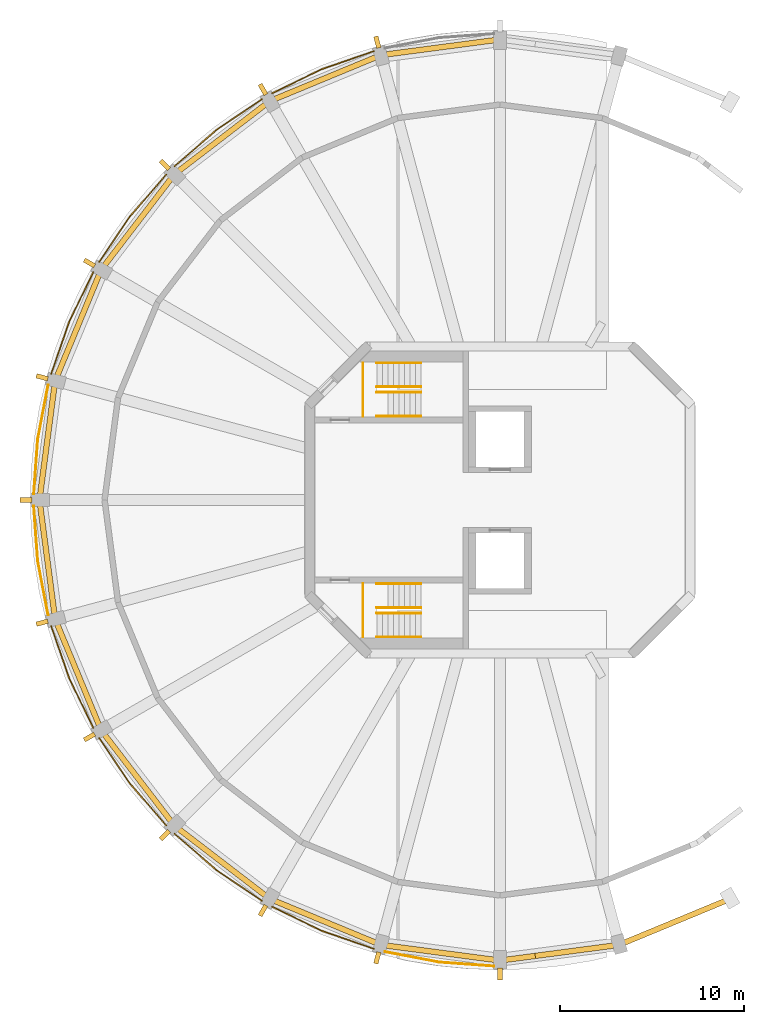
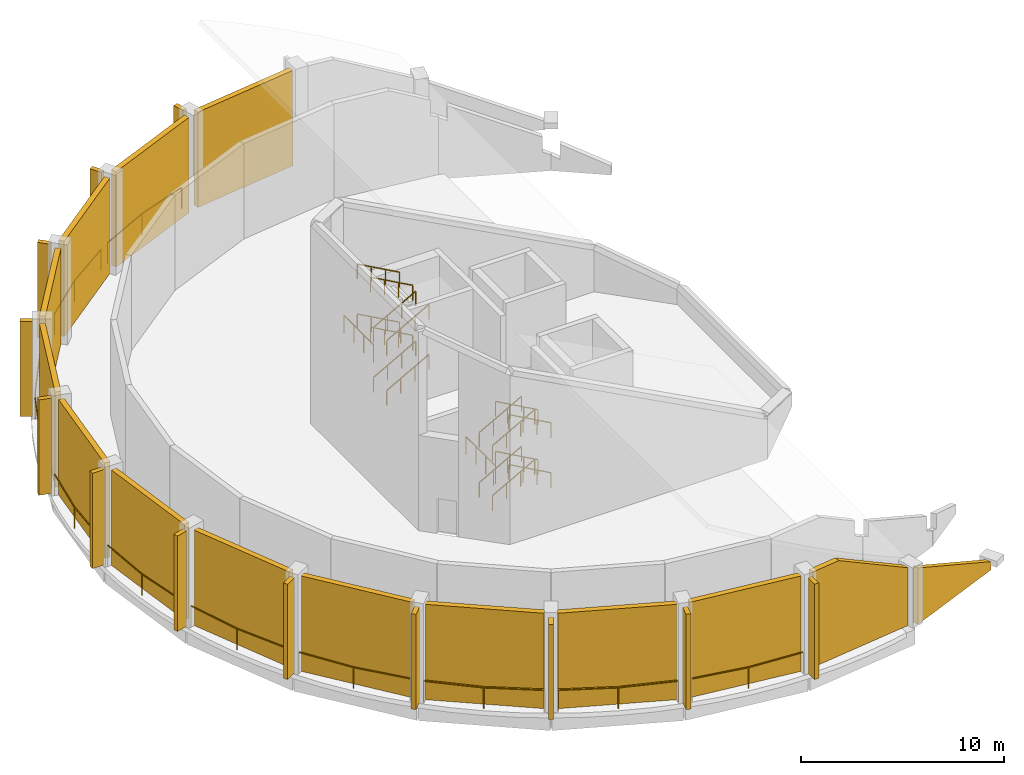
# One storey, part 4 of 5: 29 railings, 14 shading devices, 12 coverings.
"""IFC4 building model written with IfcOpenShell, lengths in metres."""

from ifc_helpers import new_model, si_unit, direction, frame, origin, origin_2d, place, context, subcontext, project, spatial, polyline, rectangle, outline, extrude, material, material_profile, profile_set, type_object, element, save


model = new_model("IFC4")

# Units and contexts
model_context = context("Model", 3, precision=1e-05, world=origin(), true_north=direction((0.0, 1.0)))
body_context = subcontext(model_context, "Body", "Model", "MODEL_VIEW")
ifc_project = project(units=[si_unit("LENGTHUNIT", "METRE"), si_unit("AREAUNIT", "SQUARE_METRE"), si_unit("VOLUMEUNIT", "CUBIC_METRE"), si_unit("PLANEANGLEUNIT", "RADIAN"), si_unit("MASSUNIT", "GRAM", prefix="KILO")], contexts=[model_context])

# Site, building, storey
site_placement = place(None, origin())
site = spatial("IfcSite", under=ifc_project, at=site_placement, CompositionType="ELEMENT")
building_placement = place(site_placement, origin())
building = spatial("IfcBuilding", under=site, at=building_placement, Name="Torre Triforio", CompositionType="ELEMENT")
storey_placement = place(building_placement, frame((0.0, 0.0, 296.800048828125)))
storey = spatial("IfcBuildingStorey", under=building, at=storey_placement, Name="RF-2", CompositionType="ELEMENT", Elevation=296.800048828125)

# Railings
ifc_material_1 = material(Name="Stainless steel AISI 316", Category="steel")
railing_type_1 = type_object("IfcRailingType", Name="GUARD 1100", PredefinedType="GUARDRAIL", material=ifc_material_1)
for number, where, name in (
    (1, (-7.449951171875, 4.550048828125, 3.0), "Guard ST1"),
    (2, (-7.449951171875, -7.449951171875, 3.0), "Guard ST3"),
):
    element("IfcRailing", number, at=place(storey_placement, frame(where)), inside=storey, type_object=railing_type_1, Name=name, PredefinedType="GUARDRAIL", context=body_context, shape_type="SweptSolid", body=[
        extrude(rectangle(XDim=0.048095703125, YDim=0.048095703125, at=origin_2d()), frame((0.0, 0.0, 1.076171875), z_axis=(0.0, 1.0, 0.0), x_axis=(-1.0, 0.0, 0.0)), (0.0, 0.0, 1.0), 2.89990234375),
        extrude(rectangle(XDim=0.0419921875, YDim=0.0419921875, at=origin_2d()), origin(), (0.0, 0.0, 1.0), 1.052001953125),
        extrude(rectangle(XDim=0.0419921875, YDim=0.0419921875, at=origin_2d()), frame((0.0, 0.966552734375, 0.0)), (0.0, 0.0, 1.0), 1.052001953125),
        extrude(rectangle(XDim=0.0419921875, YDim=0.0419921875, at=origin_2d()), frame((0.0, 1.933349609375, 0.0)), (0.0, 0.0, 1.0), 1.052001953125),
        extrude(rectangle(XDim=0.0419921875, YDim=0.0419921875, at=origin_2d()), frame((0.0, 2.89990234375, 0.0)), (0.0, 0.0, 1.0), 1.052001953125),
    ])
railing_type_2 = type_object("IfcRailingType", Name="HANDRAIL 920", PredefinedType="HANDRAIL", material=ifc_material_1)
for number, where, name in (
    (3, (-6.699951171875, 4.550048828125, 0.16650390625), "Handrail ST1"),
    (4, (-6.699951171875, 5.85009765625, 0.16650390625), "Handrail ST1"),
):
    element("IfcRailing", number, at=place(storey_placement, frame(where)), inside=storey, type_object=railing_type_2, Name=name, PredefinedType="HANDRAIL", context=body_context, shape_type="SweptSolid", body=[
        extrude(rectangle(XDim=0.048095703125, YDim=0.048095703125, at=origin_2d()), frame((0.0, 0.0, 0.89599609375), z_axis=(0.874123717778, 0.0, 0.485703331282), x_axis=(0.0, 1.0, 0.0)), (0.0, 0.0, 1.0), 2.74560546875),
        extrude(rectangle(XDim=0.0419921875, YDim=0.0419921875, at=origin_2d()), origin(), (0.0, 0.0, 1.0), 0.871826171875),
        extrude(rectangle(XDim=0.0419921875, YDim=0.0419921875, at=origin_2d()), frame((0.800048828125, 0.0, 0.444580078125)), (0.0, 0.0, 1.0), 0.871826171875),
        extrude(rectangle(XDim=0.0419921875, YDim=0.0419921875, at=origin_2d()), frame((1.599853515625, 0.0, 0.888916015625)), (0.0, 0.0, 1.0), 0.871826171875),
        extrude(rectangle(XDim=0.0419921875, YDim=0.0419921875, at=origin_2d()), frame((2.39990234375, 0.0, 1.33349609375)), (0.0, 0.0, 1.0), 0.871826171875),
    ])
for number, where, name in (
    (5, (-4.300048828125, 7.449951171875, 1.66650390625), "Handrail ST1"),
    (6, (-4.300048828125, 6.14990234375, 1.66650390625), "Handrail ST1"),
):
    element("IfcRailing", number, at=place(storey_placement, frame(where)), inside=storey, type_object=railing_type_2, Name=name, PredefinedType="HANDRAIL", context=body_context, shape_type="SweptSolid", body=[
        extrude(rectangle(XDim=0.048095703125, YDim=0.048095703125, at=origin_2d()), frame((0.0, 0.0, 0.89599609375), z_axis=(-0.874123717778, 0.0, 0.485703331282), x_axis=(0.0, -1.0, 0.0)), (0.0, 0.0, 1.0), 2.74560546875),
        extrude(rectangle(XDim=0.0419921875, YDim=0.0419921875, at=origin_2d()), origin(), (0.0, 0.0, 1.0), 0.871826171875),
        extrude(rectangle(XDim=0.0419921875, YDim=0.0419921875, at=origin_2d()), frame((-0.800048828125, 0.0, 0.444580078125)), (0.0, 0.0, 1.0), 0.871826171875),
        extrude(rectangle(XDim=0.0419921875, YDim=0.0419921875, at=origin_2d()), frame((-1.599853515625, 0.0, 0.888916015625)), (0.0, 0.0, 1.0), 0.871826171875),
        extrude(rectangle(XDim=0.0419921875, YDim=0.0419921875, at=origin_2d()), frame((-2.39990234375, 0.0, 1.33349609375)), (0.0, 0.0, 1.0), 0.871826171875),
    ])
for number, where, name in (
    (7, (-6.699951171875, 4.550048828125, 3.16650390625), "Handrail ST1"),
    (8, (-6.699951171875, 5.85009765625, 3.16650390625), "Handrail ST1"),
):
    element("IfcRailing", number, at=place(storey_placement, frame(where)), inside=storey, type_object=railing_type_2, Name=name, PredefinedType="HANDRAIL", context=body_context, shape_type="SweptSolid", body=[
        extrude(rectangle(XDim=0.048095703125, YDim=0.048095703125, at=origin_2d()), frame((0.0, 0.0, 0.89599609375), z_axis=(0.874123717778, 0.0, 0.485703331282), x_axis=(0.0, 1.0, 0.0)), (0.0, 0.0, 1.0), 2.74560546875),
        extrude(rectangle(XDim=0.0419921875, YDim=0.0419921875, at=origin_2d()), origin(), (0.0, 0.0, 1.0), 0.871826171875),
        extrude(rectangle(XDim=0.0419921875, YDim=0.0419921875, at=origin_2d()), frame((0.800048828125, 0.0, 0.444580078125)), (0.0, 0.0, 1.0), 0.871826171875),
        extrude(rectangle(XDim=0.0419921875, YDim=0.0419921875, at=origin_2d()), frame((1.599853515625, 0.0, 0.888916015625)), (0.0, 0.0, 1.0), 0.871826171875),
        extrude(rectangle(XDim=0.0419921875, YDim=0.0419921875, at=origin_2d()), frame((2.39990234375, 0.0, 1.33349609375)), (0.0, 0.0, 1.0), 0.871826171875),
    ])
for number, where, name in (
    (9, (-4.300048828125, 7.449951171875, 4.66650390625), "Handrail ST1"),
    (10, (-4.300048828125, 6.14990234375, 4.66650390625), "Handrail ST1"),
):
    element("IfcRailing", number, at=place(storey_placement, frame(where)), inside=storey, type_object=railing_type_2, Name=name, PredefinedType="HANDRAIL", context=body_context, shape_type="SweptSolid", body=[
        extrude(rectangle(XDim=0.048095703125, YDim=0.048095703125, at=origin_2d()), frame((0.0, 0.0, 0.89599609375), z_axis=(-0.874123717778, 0.0, 0.485703331282), x_axis=(0.0, -1.0, 0.0)), (0.0, 0.0, 1.0), 2.74560546875),
        extrude(rectangle(XDim=0.0419921875, YDim=0.0419921875, at=origin_2d()), origin(), (0.0, 0.0, 1.0), 0.871826171875),
        extrude(rectangle(XDim=0.0419921875, YDim=0.0419921875, at=origin_2d()), frame((-0.800048828125, 0.0, 0.444580078125)), (0.0, 0.0, 1.0), 0.871826171875),
        extrude(rectangle(XDim=0.0419921875, YDim=0.0419921875, at=origin_2d()), frame((-1.599853515625, 0.0, 0.888916015625)), (0.0, 0.0, 1.0), 0.871826171875),
        extrude(rectangle(XDim=0.0419921875, YDim=0.0419921875, at=origin_2d()), frame((-2.39990234375, 0.0, 1.33349609375)), (0.0, 0.0, 1.0), 0.871826171875),
    ])
for number, where, name in (
    (11, (-6.699951171875, -4.550048828125, 0.16650390625), "Handrail ST3"),
    (12, (-6.699951171875, -5.85009765625, 0.16650390625), "Handrail ST3"),
):
    element("IfcRailing", number, at=place(storey_placement, frame(where)), inside=storey, type_object=railing_type_2, Name=name, PredefinedType="HANDRAIL", context=body_context, shape_type="SweptSolid", body=[
        extrude(rectangle(XDim=0.048095703125, YDim=0.048095703125, at=origin_2d()), frame((0.0, 0.0, 0.89599609375), z_axis=(0.874123717778, 0.0, 0.485703331282), x_axis=(0.0, 1.0, 0.0)), (0.0, 0.0, 1.0), 2.74560546875),
        extrude(rectangle(XDim=0.0419921875, YDim=0.0419921875, at=origin_2d()), origin(), (0.0, 0.0, 1.0), 0.871826171875),
        extrude(rectangle(XDim=0.0419921875, YDim=0.0419921875, at=origin_2d()), frame((0.800048828125, 0.0, 0.444580078125)), (0.0, 0.0, 1.0), 0.871826171875),
        extrude(rectangle(XDim=0.0419921875, YDim=0.0419921875, at=origin_2d()), frame((1.599853515625, 0.0, 0.888916015625)), (0.0, 0.0, 1.0), 0.871826171875),
        extrude(rectangle(XDim=0.0419921875, YDim=0.0419921875, at=origin_2d()), frame((2.39990234375, 0.0, 1.33349609375)), (0.0, 0.0, 1.0), 0.871826171875),
    ])
for number, where, name in (
    (13, (-4.300048828125, -7.449951171875, 1.66650390625), "Handrail ST3"),
    (14, (-4.300048828125, -6.14990234375, 1.66650390625), "Handrail ST3"),
):
    element("IfcRailing", number, at=place(storey_placement, frame(where)), inside=storey, type_object=railing_type_2, Name=name, PredefinedType="HANDRAIL", context=body_context, shape_type="SweptSolid", body=[
        extrude(rectangle(XDim=0.048095703125, YDim=0.048095703125, at=origin_2d()), frame((0.0, 0.0, 0.89599609375), z_axis=(-0.874123717778, 0.0, 0.485703331282), x_axis=(0.0, -1.0, 0.0)), (0.0, 0.0, 1.0), 2.74560546875),
        extrude(rectangle(XDim=0.0419921875, YDim=0.0419921875, at=origin_2d()), origin(), (0.0, 0.0, 1.0), 0.871826171875),
        extrude(rectangle(XDim=0.0419921875, YDim=0.0419921875, at=origin_2d()), frame((-0.800048828125, 0.0, 0.444580078125)), (0.0, 0.0, 1.0), 0.871826171875),
        extrude(rectangle(XDim=0.0419921875, YDim=0.0419921875, at=origin_2d()), frame((-1.599853515625, 0.0, 0.888916015625)), (0.0, 0.0, 1.0), 0.871826171875),
        extrude(rectangle(XDim=0.0419921875, YDim=0.0419921875, at=origin_2d()), frame((-2.39990234375, 0.0, 1.33349609375)), (0.0, 0.0, 1.0), 0.871826171875),
    ])
for number, where, name in (
    (15, (-6.699951171875, -4.550048828125, 3.16650390625), "Handrail ST3"),
    (16, (-6.699951171875, -5.85009765625, 3.16650390625), "Handrail ST3"),
):
    element("IfcRailing", number, at=place(storey_placement, frame(where)), inside=storey, type_object=railing_type_2, Name=name, PredefinedType="HANDRAIL", context=body_context, shape_type="SweptSolid", body=[
        extrude(rectangle(XDim=0.048095703125, YDim=0.048095703125, at=origin_2d()), frame((0.0, 0.0, 0.89599609375), z_axis=(0.874123717778, 0.0, 0.485703331282), x_axis=(0.0, 1.0, 0.0)), (0.0, 0.0, 1.0), 2.74560546875),
        extrude(rectangle(XDim=0.0419921875, YDim=0.0419921875, at=origin_2d()), origin(), (0.0, 0.0, 1.0), 0.871826171875),
        extrude(rectangle(XDim=0.0419921875, YDim=0.0419921875, at=origin_2d()), frame((0.800048828125, 0.0, 0.444580078125)), (0.0, 0.0, 1.0), 0.871826171875),
        extrude(rectangle(XDim=0.0419921875, YDim=0.0419921875, at=origin_2d()), frame((1.599853515625, 0.0, 0.888916015625)), (0.0, 0.0, 1.0), 0.871826171875),
        extrude(rectangle(XDim=0.0419921875, YDim=0.0419921875, at=origin_2d()), frame((2.39990234375, 0.0, 1.33349609375)), (0.0, 0.0, 1.0), 0.871826171875),
    ])
for number, where, name in (
    (17, (-4.300048828125, -7.449951171875, 4.66650390625), "Handrail ST3"),
    (18, (-4.300048828125, -6.14990234375, 4.66650390625), "Handrail ST3"),
):
    element("IfcRailing", number, at=place(storey_placement, frame(where)), inside=storey, type_object=railing_type_2, Name=name, PredefinedType="HANDRAIL", context=body_context, shape_type="SweptSolid", body=[
        extrude(rectangle(XDim=0.048095703125, YDim=0.048095703125, at=origin_2d()), frame((0.0, 0.0, 0.89599609375), z_axis=(-0.874123717778, 0.0, 0.485703331282), x_axis=(0.0, -1.0, 0.0)), (0.0, 0.0, 1.0), 2.74560546875),
        extrude(rectangle(XDim=0.0419921875, YDim=0.0419921875, at=origin_2d()), origin(), (0.0, 0.0, 1.0), 0.871826171875),
        extrude(rectangle(XDim=0.0419921875, YDim=0.0419921875, at=origin_2d()), frame((-0.800048828125, 0.0, 0.444580078125)), (0.0, 0.0, 1.0), 0.871826171875),
        extrude(rectangle(XDim=0.0419921875, YDim=0.0419921875, at=origin_2d()), frame((-1.599853515625, 0.0, 0.888916015625)), (0.0, 0.0, 1.0), 0.871826171875),
        extrude(rectangle(XDim=0.0419921875, YDim=0.0419921875, at=origin_2d()), frame((-2.39990234375, 0.0, 1.33349609375)), (0.0, 0.0, 1.0), 0.871826171875),
    ])
railing_type_3 = type_object("IfcRailingType", Name="Loggia guard 1300", PredefinedType="GUARDRAIL", material=ifc_material_1)
railing_1_placement = place(storey_placement, frame((-6.8701171875, 24.4033203125, 0.0)))
element("IfcRailing", 19, at=railing_1_placement, inside=storey, type_object=railing_type_3, Name="Loggia guard RF-2 bay 08", PredefinedType="GUARDRAIL", context=body_context, shape_type="SweptSolid", body=[
    extrude(rectangle(XDim=0.050048828125, YDim=0.050048828125, at=origin_2d()), frame((0.0, 0.0, 1.27490234375), z_axis=(-0.944674716123, -0.328008659518, 0.0), x_axis=(0.328008659518, -0.944674716123, 0.0)), (0.0, 0.0, 1.0), 2.99658203125),
    extrude(rectangle(XDim=0.050048828125, YDim=0.050048828125, at=origin_2d()), frame((-2.830810546875, -0.98291015625, 1.27490234375), z_axis=(-0.899945864081, -0.43600165335, 0.0), x_axis=(0.43600165335, -0.899945864081, 0.0)), (0.0, 0.0, 1.0), 2.996826171875),
    extrude(rectangle(XDim=0.0400390625, YDim=0.0400390625, at=origin_2d()), origin(), (0.0, 0.0, 1.0), 1.25),
    extrude(rectangle(XDim=0.0400390625, YDim=0.0400390625, at=origin_2d()), frame((-2.830810546875, -0.98291015625, 0.0)), (0.0, 0.0, 1.0), 1.25),
    extrude(rectangle(XDim=0.0400390625, YDim=0.0400390625, at=origin_2d()), frame((-5.52783203125, -2.28955078125, 0.0)), (0.0, 0.0, 1.0), 1.25),
])
railing_2_placement = place(storey_placement, frame((-12.9521484375, 21.793701171875, 0.0)))
element("IfcRailing", 20, at=railing_2_placement, inside=storey, type_object=railing_type_3, Name="Loggia guard RF-2 bay 09", PredefinedType="GUARDRAIL", context=body_context, shape_type="SweptSolid", body=[
    extrude(rectangle(XDim=0.050048828125, YDim=0.050048828125, at=origin_2d()), frame((0.0, 0.0, 1.27490234375), z_axis=(-0.82758661631, -0.561338037643, 0.0), x_axis=(0.561338037643, -0.82758661631, 0.0)), (0.0, 0.0, 1.0), 2.99658203125),
    extrude(rectangle(XDim=0.050048828125, YDim=0.050048828125, at=origin_2d()), frame((-2.47998046875, -1.68212890625, 1.27490234375), z_axis=(-0.756414371673, -0.65409272915, 0.0), x_axis=(0.65409272915, -0.756414371673, 0.0)), (0.0, 0.0, 1.0), 2.996826171875),
    extrude(rectangle(XDim=0.0400390625, YDim=0.0400390625, at=origin_2d()), origin(), (0.0, 0.0, 1.0), 1.25),
    extrude(rectangle(XDim=0.0400390625, YDim=0.0400390625, at=origin_2d()), frame((-2.47998046875, -1.68212890625, 0.0)), (0.0, 0.0, 1.0), 1.25),
    extrude(rectangle(XDim=0.0400390625, YDim=0.0400390625, at=origin_2d()), frame((-4.746826171875, -3.642333984375, 0.0)), (0.0, 0.0, 1.0), 1.25),
])
railing_3_placement = place(storey_placement, frame((-18.1513671875, 17.698974609375, 0.0)))
element("IfcRailing", 21, at=railing_3_placement, inside=storey, type_object=railing_type_3, Name="Loggia guard RF-2 bay 10", PredefinedType="GUARDRAIL", context=body_context, shape_type="SweptSolid", body=[
    extrude(rectangle(XDim=0.050048828125, YDim=0.050048828125, at=origin_2d()), frame((0.0, 0.0, 1.27490234375), z_axis=(-0.65409272915, -0.756414371673, 0.0), x_axis=(0.756414371673, -0.65409272915, 0.0)), (0.0, 0.0, 1.0), 2.996826171875),
    extrude(rectangle(XDim=0.050048828125, YDim=0.050048828125, at=origin_2d()), frame((-1.960205078125, -2.266845703125, 1.27490234375), z_axis=(-0.561338037643, -0.82758661631, 0.0), x_axis=(0.82758661631, -0.561338037643, 0.0)), (0.0, 0.0, 1.0), 2.99658203125),
    extrude(rectangle(XDim=0.0400390625, YDim=0.0400390625, at=origin_2d()), origin(), (0.0, 0.0, 1.0), 1.25),
    extrude(rectangle(XDim=0.0400390625, YDim=0.0400390625, at=origin_2d()), frame((-1.960205078125, -2.266845703125, 0.0)), (0.0, 0.0, 1.0), 1.25),
    extrude(rectangle(XDim=0.0400390625, YDim=0.0400390625, at=origin_2d()), frame((-3.642333984375, -4.746826171875, 0.0)), (0.0, 0.0, 1.0), 1.25),
])
railing_4_placement = place(storey_placement, frame((-22.11376953125, 12.39794921875, 0.0)))
element("IfcRailing", 22, at=railing_4_placement, inside=storey, type_object=railing_type_3, Name="Loggia guard RF-2 bay 11", PredefinedType="GUARDRAIL", context=body_context, shape_type="SweptSolid", body=[
    extrude(rectangle(XDim=0.050048828125, YDim=0.050048828125, at=origin_2d()), frame((0.0, 0.0, 1.27490234375), z_axis=(-0.43600165335, -0.899945864081, 0.0), x_axis=(0.899945864081, -0.43600165335, 0.0)), (0.0, 0.0, 1.0), 2.996826171875),
    extrude(rectangle(XDim=0.050048828125, YDim=0.050048828125, at=origin_2d()), frame((-1.306640625, -2.697021484375, 1.27490234375), z_axis=(-0.328008659518, -0.944674716123, 0.0), x_axis=(0.944674716123, -0.328008659518, 0.0)), (0.0, 0.0, 1.0), 2.99658203125),
    extrude(rectangle(XDim=0.0400390625, YDim=0.0400390625, at=origin_2d()), origin(), (0.0, 0.0, 1.0), 1.25),
    extrude(rectangle(XDim=0.0400390625, YDim=0.0400390625, at=origin_2d()), frame((-1.306640625, -2.697021484375, 0.0)), (0.0, 0.0, 1.0), 1.25),
    extrude(rectangle(XDim=0.0400390625, YDim=0.0400390625, at=origin_2d()), frame((-2.28955078125, -5.52783203125, 0.0)), (0.0, 0.0, 1.0), 1.25),
])
railing_5_placement = place(storey_placement, frame((-24.569091796875, 6.251953125, 0.0)))
element("IfcRailing", 23, at=railing_5_placement, inside=storey, type_object=railing_type_3, Name="Loggia guard RF-2 bay 12", PredefinedType="GUARDRAIL", context=body_context, shape_type="SweptSolid", body=[
    extrude(rectangle(XDim=0.050048828125, YDim=0.050048828125, at=origin_2d()), frame((0.0, 0.0, 1.27490234375), z_axis=(-0.18819767745, -0.98213116955, 0.0), x_axis=(0.98213116955, -0.18819767745, 0.0)), (0.0, 0.0, 1.0), 2.99658203125),
    extrude(rectangle(XDim=0.050048828125, YDim=0.050048828125, at=origin_2d()), frame((-0.56396484375, -2.943115234375, 1.27490234375), z_axis=(-0.072428129451, -0.997373634133, 0.0), x_axis=(0.997373634133, -0.072428129451, 0.0)), (0.0, 0.0, 1.0), 2.99658203125),
    extrude(rectangle(XDim=0.0400390625, YDim=0.0400390625, at=origin_2d()), origin(), (0.0, 0.0, 1.0), 1.25),
    extrude(rectangle(XDim=0.0400390625, YDim=0.0400390625, at=origin_2d()), frame((-0.56396484375, -2.943115234375, 0.0)), (0.0, 0.0, 1.0), 1.25),
    extrude(rectangle(XDim=0.0400390625, YDim=0.0400390625, at=origin_2d()), frame((-0.781005859375, -5.931884765625, 0.0)), (0.0, 0.0, 1.0), 1.25),
])
railing_6_placement = place(storey_placement, frame((-25.35009765625, -0.320068359375, 0.0)))
element("IfcRailing", 24, at=railing_6_placement, inside=storey, type_object=railing_type_3, Name="Loggia guard RF-2 bay 13", PredefinedType="GUARDRAIL", context=body_context, shape_type="SweptSolid", body=[
    extrude(rectangle(XDim=0.050048828125, YDim=0.050048828125, at=origin_2d()), frame((0.0, 0.0, 1.27490234375), z_axis=(0.072428129451, -0.997373634133, 0.0), x_axis=(0.997373634133, 0.072428129451, 0.0)), (0.0, 0.0, 1.0), 2.99658203125),
    extrude(rectangle(XDim=0.050048828125, YDim=0.050048828125, at=origin_2d()), frame((0.217041015625, -2.98876953125, 1.27490234375), z_axis=(0.18819767745, -0.98213116955, 0.0), x_axis=(0.98213116955, 0.18819767745, 0.0)), (0.0, 0.0, 1.0), 2.99658203125),
    extrude(rectangle(XDim=0.0400390625, YDim=0.0400390625, at=origin_2d()), origin(), (0.0, 0.0, 1.0), 1.25),
    extrude(rectangle(XDim=0.0400390625, YDim=0.0400390625, at=origin_2d()), frame((0.217041015625, -2.98876953125, 0.0)), (0.0, 0.0, 1.0), 1.25),
    extrude(rectangle(XDim=0.0400390625, YDim=0.0400390625, at=origin_2d()), frame((0.781005859375, -5.931884765625, 0.0)), (0.0, 0.0, 1.0), 1.25),
])
railing_7_placement = place(storey_placement, frame((-24.4033203125, -6.8701171875, 0.0)))
element("IfcRailing", 25, at=railing_7_placement, inside=storey, type_object=railing_type_3, Name="Loggia guard RF-2 bay 14", PredefinedType="GUARDRAIL", context=body_context, shape_type="SweptSolid", body=[
    extrude(rectangle(XDim=0.050048828125, YDim=0.050048828125, at=origin_2d()), frame((0.0, 0.0, 1.27490234375), z_axis=(0.328008659518, -0.944674716123, 0.0), x_axis=(0.944674716123, 0.328008659518, 0.0)), (0.0, 0.0, 1.0), 2.99658203125),
    extrude(rectangle(XDim=0.050048828125, YDim=0.050048828125, at=origin_2d()), frame((0.98291015625, -2.830810546875, 1.27490234375), z_axis=(0.43600165335, -0.899945864081, 0.0), x_axis=(0.899945864081, 0.43600165335, 0.0)), (0.0, 0.0, 1.0), 2.996826171875),
    extrude(rectangle(XDim=0.0400390625, YDim=0.0400390625, at=origin_2d()), origin(), (0.0, 0.0, 1.0), 1.25),
    extrude(rectangle(XDim=0.0400390625, YDim=0.0400390625, at=origin_2d()), frame((0.98291015625, -2.830810546875, 0.0)), (0.0, 0.0, 1.0), 1.25),
    extrude(rectangle(XDim=0.0400390625, YDim=0.0400390625, at=origin_2d()), frame((2.28955078125, -5.52783203125, 0.0)), (0.0, 0.0, 1.0), 1.25),
])
railing_8_placement = place(storey_placement, frame((-21.793701171875, -12.9521484375, 0.0)))
element("IfcRailing", 26, at=railing_8_placement, inside=storey, type_object=railing_type_3, Name="Loggia guard RF-2 bay 15", PredefinedType="GUARDRAIL", context=body_context, shape_type="SweptSolid", body=[
    extrude(rectangle(XDim=0.050048828125, YDim=0.050048828125, at=origin_2d()), frame((0.0, 0.0, 1.27490234375), z_axis=(0.561338037643, -0.82758661631, 0.0), x_axis=(0.82758661631, 0.561338037643, 0.0)), (0.0, 0.0, 1.0), 2.99658203125),
    extrude(rectangle(XDim=0.050048828125, YDim=0.050048828125, at=origin_2d()), frame((1.68212890625, -2.47998046875, 1.27490234375), z_axis=(0.65409272915, -0.756414371673, 0.0), x_axis=(0.756414371673, 0.65409272915, 0.0)), (0.0, 0.0, 1.0), 2.996826171875),
    extrude(rectangle(XDim=0.0400390625, YDim=0.0400390625, at=origin_2d()), origin(), (0.0, 0.0, 1.0), 1.25),
    extrude(rectangle(XDim=0.0400390625, YDim=0.0400390625, at=origin_2d()), frame((1.68212890625, -2.47998046875, 0.0)), (0.0, 0.0, 1.0), 1.25),
    extrude(rectangle(XDim=0.0400390625, YDim=0.0400390625, at=origin_2d()), frame((3.642333984375, -4.746826171875, 0.0)), (0.0, 0.0, 1.0), 1.25),
])
railing_9_placement = place(storey_placement, frame((-17.698974609375, -18.1513671875, 0.0)))
element("IfcRailing", 27, at=railing_9_placement, inside=storey, type_object=railing_type_3, Name="Loggia guard RF-2 bay 16", PredefinedType="GUARDRAIL", context=body_context, shape_type="SweptSolid", body=[
    extrude(rectangle(XDim=0.050048828125, YDim=0.050048828125, at=origin_2d()), frame((0.0, 0.0, 1.27490234375), z_axis=(0.756414371673, -0.65409272915, 0.0), x_axis=(0.65409272915, 0.756414371673, 0.0)), (0.0, 0.0, 1.0), 2.996826171875),
    extrude(rectangle(XDim=0.050048828125, YDim=0.050048828125, at=origin_2d()), frame((2.266845703125, -1.960205078125, 1.27490234375), z_axis=(0.82758661631, -0.561338037643, 0.0), x_axis=(0.561338037643, 0.82758661631, 0.0)), (0.0, 0.0, 1.0), 2.99658203125),
    extrude(rectangle(XDim=0.0400390625, YDim=0.0400390625, at=origin_2d()), origin(), (0.0, 0.0, 1.0), 1.25),
    extrude(rectangle(XDim=0.0400390625, YDim=0.0400390625, at=origin_2d()), frame((2.266845703125, -1.960205078125, 0.0)), (0.0, 0.0, 1.0), 1.25),
    extrude(rectangle(XDim=0.0400390625, YDim=0.0400390625, at=origin_2d()), frame((4.746826171875, -3.642333984375, 0.0)), (0.0, 0.0, 1.0), 1.25),
])
railing_10_placement = place(storey_placement, frame((-12.39794921875, -22.11376953125, 0.0)))
element("IfcRailing", 28, at=railing_10_placement, inside=storey, type_object=railing_type_3, Name="Loggia guard RF-2 bay 17", PredefinedType="GUARDRAIL", context=body_context, shape_type="SweptSolid", body=[
    extrude(rectangle(XDim=0.050048828125, YDim=0.050048828125, at=origin_2d()), frame((0.0, 0.0, 1.27490234375), z_axis=(0.899945864081, -0.43600165335, 0.0), x_axis=(0.43600165335, 0.899945864081, 0.0)), (0.0, 0.0, 1.0), 2.996826171875),
    extrude(rectangle(XDim=0.050048828125, YDim=0.050048828125, at=origin_2d()), frame((2.697021484375, -1.306640625, 1.27490234375), z_axis=(0.944674716123, -0.328008659518, 0.0), x_axis=(0.328008659518, 0.944674716123, 0.0)), (0.0, 0.0, 1.0), 2.99658203125),
    extrude(rectangle(XDim=0.0400390625, YDim=0.0400390625, at=origin_2d()), origin(), (0.0, 0.0, 1.0), 1.25),
    extrude(rectangle(XDim=0.0400390625, YDim=0.0400390625, at=origin_2d()), frame((2.697021484375, -1.306640625, 0.0)), (0.0, 0.0, 1.0), 1.25),
    extrude(rectangle(XDim=0.0400390625, YDim=0.0400390625, at=origin_2d()), frame((5.52783203125, -2.28955078125, 0.0)), (0.0, 0.0, 1.0), 1.25),
])
railing_11_placement = place(storey_placement, frame((-6.251953125, -24.569091796875, 0.0)))
element("IfcRailing", 29, at=railing_11_placement, inside=storey, type_object=railing_type_3, Name="Loggia guard RF-2 bay 18", PredefinedType="GUARDRAIL", context=body_context, shape_type="SweptSolid", body=[
    extrude(rectangle(XDim=0.050048828125, YDim=0.050048828125, at=origin_2d()), frame((0.0, 0.0, 1.27490234375), z_axis=(0.98213116955, -0.18819767745, 0.0), x_axis=(0.18819767745, 0.98213116955, 0.0)), (0.0, 0.0, 1.0), 2.99658203125),
    extrude(rectangle(XDim=0.050048828125, YDim=0.050048828125, at=origin_2d()), frame((2.943115234375, -0.56396484375, 1.27490234375), z_axis=(0.997373634133, -0.072428129451, 0.0), x_axis=(0.072428129451, 0.997373634133, 0.0)), (0.0, 0.0, 1.0), 2.99658203125),
    extrude(rectangle(XDim=0.0400390625, YDim=0.0400390625, at=origin_2d()), origin(), (0.0, 0.0, 1.0), 1.25),
    extrude(rectangle(XDim=0.0400390625, YDim=0.0400390625, at=origin_2d()), frame((2.943115234375, -0.56396484375, 0.0)), (0.0, 0.0, 1.0), 1.25),
    extrude(rectangle(XDim=0.0400390625, YDim=0.0400390625, at=origin_2d()), frame((5.931884765625, -0.781005859375, 0.0)), (0.0, 0.0, 1.0), 1.25),
])

# Coverings
ifc_material_2 = material(Name="Limestone fin", Category="masonry")
ifc_material_profile = material_profile(ifc_material_2, rectangle(XDim=0.64990234375, YDim=0.25, at=origin_2d()), Name="FIN 650x250")
ifc_profile_set = profile_set([ifc_material_profile], Name="Limestone fin")
covering_type = type_object("IfcCoveringType", Name="Stone fin 650 x 250", PredefinedType="CLADDING", material=ifc_profile_set)
for number, where, z_axis, x_axis, name in (
    (30, (-6.671142578125, 24.896728515625, 0.0), (0.0, 0.0, 1.0), (-0.258819045103, 0.965925826289, 0.0), "Stone fin C08 RF-2"),
    (31, (-12.887451171875, 22.32177734375, 0.0), (0.0, 0.0, 1.0), (-0.5, 0.866025403784, 0.0), "Stone fin C09 RF-2"),
    (32, (-18.2255859375, 18.2255859375, 0.0), (0.0, 0.0, 1.0), (-0.707106781187, 0.707106781187, 0.0), "Stone fin C10 RF-2"),
    (33, (-22.32177734375, 12.887451171875, 0.0), (0.0, 0.0, 1.0), (-0.866025403784, 0.5, 0.0), "Stone fin C11 RF-2"),
    (34, (-24.896728515625, 6.671142578125, 0.0), (0.0, 0.0, 1.0), (-0.965925826289, 0.258819045103, 0.0), "Stone fin C12 RF-2"),
    (35, (-25.77490234375, 0.0, 0.0), (0.0, 0.0, 1.0), (-1.0, 0.0, 0.0), "Stone fin C13 RF-2"),
    (36, (-24.896728515625, -6.671142578125, 0.0), (0.0, 0.0, 1.0), (-0.965925826289, -0.258819045103, 0.0), "Stone fin C14 RF-2"),
    (37, (-22.32177734375, -12.887451171875, 0.0), (0.0, 0.0, 1.0), (-0.866025403784, -0.5, 0.0), "Stone fin C15 RF-2"),
    (38, (-18.2255859375, -18.2255859375, 0.0), (0.0, 0.0, 1.0), (-0.707106781187, -0.707106781187, 0.0), "Stone fin C16 RF-2"),
    (39, (-12.887451171875, -22.32177734375, 0.0), (0.0, 0.0, 1.0), (-0.5, -0.866025403784, 0.0), "Stone fin C17 RF-2"),
    (40, (-6.671142578125, -24.896728515625, 0.0), (0.0, 0.0, 1.0), (-0.258819045103, -0.965925826289, 0.0), "Stone fin C18 RF-2"),
    (41, (0.0, -25.77490234375, 0.0), (0.0, 0.0, 1.0), (0.0, -1.0, 0.0), "Stone fin C19 RF-2"),
):
    element("IfcCovering", number, at=place(storey_placement, frame(where, z_axis=z_axis, x_axis=x_axis)), inside=storey, type_object=covering_type, Name=name, PredefinedType="CLADDING", context=body_context, shape_type="SweptSolid", body=[
        extrude(rectangle(XDim=0.64990234375, YDim=0.25, at=origin_2d()), origin(), (0.0, 0.0, 1.0), 5.719970703125),
    ])

# Shading devices
shading_device_1_placement = place(storey_placement, frame((-0.320068359375, 25.0, 0.0), z_axis=(0.0, 0.0, 1.0), x_axis=(-0.991444419808, -0.130529546201, 0.0)))
element("IfcShadingDevice", 42, at=shading_device_1_placement, inside=storey, Name="Crown louvre screen RF-2 bay 07", PredefinedType="JALOUSIE", context=body_context, shape_type="SweptSolid", body=[
    extrude(outline(polyline([(0.0, 0.0), (5.8916015625, 0.0), (5.891845703125, 5.719970703125), (0.0, 5.719970703125), (0.0, 0.0)])), frame((0.0, 0.14990234375, 0.0), z_axis=(0.0, -1.0, 0.0), x_axis=(1.0, 0.0, 0.0)), (0.0, 0.0, 1.0), 0.300048828125),
])
for number, where, z_axis, x_axis, name in (
    (43, (-6.779541015625, 24.065185546875, 0.0), (0.0, 0.0, 1.0), (-0.923884009374, -0.382672624084, 0.0), "Crown louvre screen RF-2 bay 08"),
    (44, (-12.777099609375, 21.490478515625, 0.0), (0.0, 0.0, 1.0), (-0.793358193576, -0.608755104033, 0.0), "Crown louvre screen RF-2 bay 09"),
    (45, (-17.90380859375, 17.451416015625, 0.0), (0.0, 0.0, 1.0), (-0.608755104033, -0.793358193576, 0.0), "Crown louvre screen RF-2 bay 10"),
    (46, (-21.810546875, 12.222900390625, 0.0), (0.0, 0.0, 1.0), (-0.382672624084, -0.923884009374, 0.0), "Crown louvre screen RF-2 bay 11"),
):
    element("IfcShadingDevice", number, at=place(storey_placement, frame(where, z_axis=z_axis, x_axis=x_axis)), inside=storey, Name=name, PredefinedType="JALOUSIE", context=body_context, shape_type="SweptSolid", body=[
        extrude(outline(polyline([(0.0, 0.0), (5.891845703125, 0.0), (5.891845703125, 5.719970703125), (0.0, 5.719970703125), (0.0, 0.0)])), frame((0.0, 0.14990234375, 0.0), z_axis=(0.0, -1.0, 0.0), x_axis=(1.0, 0.0, 0.0)), (0.0, 0.0, 1.0), 0.300048828125),
    ])
for number, where, z_axis, x_axis, name in (
    (47, (-24.23095703125, 6.161376953125, 0.0), (0.0, 0.0, 1.0), (-0.130529546201, -0.991444419808, 0.0), "Crown louvre screen RF-2 bay 12"),
    (48, (-25.0, -0.320068359375, 0.0), (0.0, 0.0, 1.0), (0.130529546201, -0.991444419808, 0.0), "Crown louvre screen RF-2 bay 13"),
):
    element("IfcShadingDevice", number, at=place(storey_placement, frame(where, z_axis=z_axis, x_axis=x_axis)), inside=storey, Name=name, PredefinedType="JALOUSIE", context=body_context, shape_type="SweptSolid", body=[
        extrude(outline(polyline([(0.0, 0.0), (5.8916015625, 0.0), (5.891845703125, 5.719970703125), (0.0, 5.719970703125), (0.0, 0.0)])), frame((0.0, 0.14990234375, 0.0), z_axis=(0.0, -1.0, 0.0), x_axis=(1.0, 0.0, 0.0)), (0.0, 0.0, 1.0), 0.300048828125),
    ])
for number, where, z_axis, x_axis, name in (
    (49, (-24.065185546875, -6.779541015625, 0.0), (0.0, 0.0, 1.0), (0.382672624084, -0.923884009374, 0.0), "Crown louvre screen RF-2 bay 14"),
    (50, (-21.490478515625, -12.777099609375, 0.0), (0.0, 0.0, 1.0), (0.608755104033, -0.793358193576, 0.0), "Crown louvre screen RF-2 bay 15"),
    (51, (-17.451416015625, -17.90380859375, 0.0), (0.0, 0.0, 1.0), (0.793358193576, -0.608755104033, 0.0), "Crown louvre screen RF-2 bay 16"),
    (52, (-12.222900390625, -21.810546875, 0.0), (0.0, 0.0, 1.0), (0.923884009374, -0.382672624084, 0.0), "Crown louvre screen RF-2 bay 17"),
):
    element("IfcShadingDevice", number, at=place(storey_placement, frame(where, z_axis=z_axis, x_axis=x_axis)), inside=storey, Name=name, PredefinedType="JALOUSIE", context=body_context, shape_type="SweptSolid", body=[
        extrude(outline(polyline([(0.0, 0.0), (5.891845703125, 0.0), (5.891845703125, 5.719970703125), (0.0, 5.719970703125), (0.0, 0.0)])), frame((0.0, 0.14990234375, 0.0), z_axis=(0.0, -1.0, 0.0), x_axis=(1.0, 0.0, 0.0)), (0.0, 0.0, 1.0), 0.300048828125),
    ])
shading_device_2_placement = place(storey_placement, frame((-6.161376953125, -24.23095703125, 0.0), z_axis=(0.0, 0.0, 1.0), x_axis=(0.991444419808, -0.130529546201, 0.0)))
element("IfcShadingDevice", 53, at=shading_device_2_placement, inside=storey, Name="Crown louvre screen RF-2 bay 18", PredefinedType="JALOUSIE", context=body_context, shape_type="SweptSolid", body=[
    extrude(outline(polyline([(0.0, 0.0), (5.8916015625, 0.0), (5.891845703125, 5.719970703125), (0.0, 5.719970703125), (0.0, 0.0)])), frame((0.0, 0.14990234375, 0.0), z_axis=(0.0, -1.0, 0.0), x_axis=(1.0, 0.0, 0.0)), (0.0, 0.0, 1.0), 0.300048828125),
])
shading_device_3_placement = place(storey_placement, frame((0.320068359375, -25.0, 0.0), z_axis=(0.0, 0.0, 1.0), x_axis=(0.991444419808, 0.130529546201, 0.0)))
element("IfcShadingDevice", 54, at=shading_device_3_placement, inside=storey, Name="Crown louvre screen RF-2 bay 19", PredefinedType="JALOUSIE", context=body_context, shape_type="SweptSolid", body=[
    extrude(outline(polyline([(0.0, 0.0), (5.8916015625, 0.0), (5.891845703125, 3.462646484375), (1.609619140625, 5.719970703125), (0.0, 5.719970703125), (0.0, 0.0)])), frame((0.0, 0.14990234375, 0.0), z_axis=(0.0, -1.0, 0.0), x_axis=(1.0, 0.0, 0.0)), (0.0, 0.0, 1.0), 0.300048828125),
])
shading_device_4_placement = place(storey_placement, frame((6.779541015625, -24.065185546875, -0.280029296875), z_axis=(0.0, 0.0, 1.0), x_axis=(0.923884009374, 0.382672624084, 0.0)))
element("IfcShadingDevice", 55, at=shading_device_4_placement, inside=storey, Name="Crown louvre screen RF-2 bay 20 east", PredefinedType="JALOUSIE", context=body_context, shape_type="SweptSolid", body=[
    extrude(outline(polyline([(0.0, 0.0), (5.891845703125, 0.0), (5.891845703125, 0.49951171875), (0.0, 3.393798828125), (0.0, 0.0)])), frame((0.0, 0.14990234375, 0.0), z_axis=(0.0, -1.0, 0.0), x_axis=(1.0, 0.0, 0.0)), (0.0, 0.0, 1.0), 0.300048828125),
])

save(model, "model.ifc")
